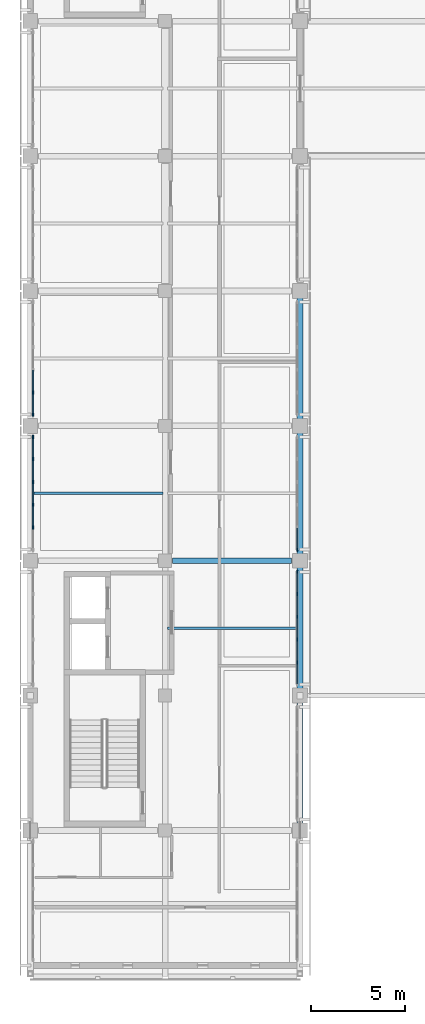
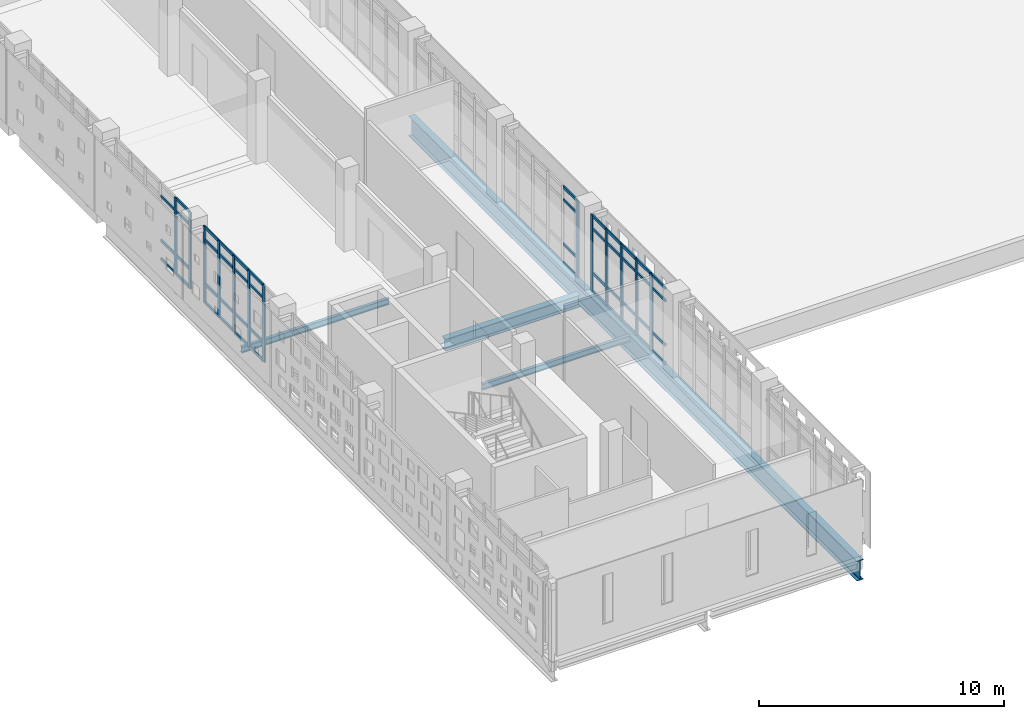
# One storey, part 4 of 51: 60 members, 4 beams, 4 elements without a shape of their own.
"""IFC4 building model written with IfcOpenShell, lengths in metres."""

from ifc_helpers import new_model, si_unit, direction, frame, origin, origin_2d, place, context, subcontext, project, spatial, rectangle, i_section, extrude, material, layer, layer_set, material_profile, profile_set, type_object, element, aggregate, save


model = new_model("IFC4")

# Units and contexts
model_context = context("Model", 3, precision=1e-05, world=origin(), true_north=direction((0.0, 1.0)))
body_context = subcontext(model_context, "Body", "Model", "MODEL_VIEW")
ifc_project = project(units=[si_unit("LENGTHUNIT", "METRE"), si_unit("AREAUNIT", "SQUARE_METRE"), si_unit("VOLUMEUNIT", "CUBIC_METRE"), si_unit("PLANEANGLEUNIT", "RADIAN"), si_unit("MASSUNIT", "GRAM", prefix="KILO")], contexts=[model_context])

# Site, building, storey
site_placement = place(None, origin())
site = spatial("IfcSite", under=ifc_project, at=site_placement, CompositionType="ELEMENT")
building_placement = place(site_placement, origin())
building = spatial("IfcBuilding", under=site, at=building_placement, Name="Valkovuoma Quantum and Materials Research Institute", CompositionType="ELEMENT")
storey_placement = place(building_placement, frame((0.0, 0.0, 17.280029296875)))
storey = spatial("IfcBuildingStorey", under=building, at=storey_placement, Name="L04", CompositionType="ELEMENT", Elevation=17.280029296875)

# Beams
ifc_material_1 = material(Name="Steel S355J2", Category="steel")
ifc_material_profile_1 = material_profile(ifc_material_1, i_section(OverallWidth=0.300048828125, OverallDepth=1.0, WebThickness=0.01904296875, FlangeThickness=0.035888671875, FilletRadius=0.030029296875, at=origin_2d()), Name="Steel S355J2")
ifc_profile_set_1 = profile_set([ifc_material_profile_1], Name="Steel S355J2")
beam_type_1 = type_object("IfcBeamType", Name="Beam-B-HEB1000", PredefinedType="BEAM", material=ifc_profile_set_1)
beam_1_placement = place(storey_placement, frame((14.39990234375, 21.0, -0.85009765625), z_axis=(0.0, 1.0, 0.0), x_axis=(-1.0, 0.0, 0.0)))
element("IfcBeam", 1, at=beam_1_placement, inside=storey, type_object=beam_type_1, Name="L04 cantilever girder X2", PredefinedType="BEAM", context=body_context, shape_type="SweptSolid", body=[
    extrude(i_section(OverallWidth=0.300048828125, OverallDepth=1.0, WebThickness=0.01904296875, FlangeThickness=0.035888671875, FilletRadius=0.030029296875, at=origin_2d()), origin(), (0.0, 0.0, 1.0), 36.60009765625),
])
ifc_material_2 = material(Name="Steel S355J2", Category="steel")
ifc_material_profile_2 = material_profile(ifc_material_2, i_section(OverallWidth=0.300048828125, OverallDepth=0.60009765625, WebThickness=0.015380859375, FlangeThickness=0.030029296875, FilletRadius=0.027099609375, at=origin_2d()), Name="Steel S355J2")
ifc_profile_set_2 = profile_set([ifc_material_profile_2], Name="Steel S355J2")
beam_type_2 = type_object("IfcBeamType", Name="Beam-B-HEB600", PredefinedType="BEAM", material=ifc_profile_set_2)
beam_2_placement = place(storey_placement, frame((7.60009765625, 43.199951171875, -0.650146484375), z_axis=(1.0, 0.0, 0.0), x_axis=(0.0, 1.0, 0.0)))
element("IfcBeam", 2, at=beam_2_placement, inside=storey, type_object=beam_type_2, Name="L04 beam X-1822", PredefinedType="BEAM", context=body_context, shape_type="SweptSolid", body=[
    extrude(i_section(OverallWidth=0.300048828125, OverallDepth=0.60009765625, WebThickness=0.015380859375, FlangeThickness=0.030029296875, FilletRadius=0.027099609375, at=origin_2d()), origin(), (0.0, 0.0, 1.0), 6.349853515625),
])
ifc_material_3 = material(Name="Steel S355J2", Category="steel")
ifc_material_profile_3 = material_profile(ifc_material_3, i_section(OverallWidth=0.14990234375, OverallDepth=0.300048828125, WebThickness=0.007080078125, FlangeThickness=0.0107421875, FilletRadius=0.014892578125, at=origin_2d()), Name="Steel S355J2")
ifc_profile_set_3 = profile_set([ifc_material_profile_3], Name="Steel S355J2")
beam_type_3 = type_object("IfcBeamType", Name="Beam-B-JST300", PredefinedType="JOIST", material=ifc_profile_set_3)
for number, where, z_axis, x_axis, name in (
    (3, (7.320068359375, 39.60009765625, -0.5), (1.0, 0.0, 0.0), (0.0, 1.0, 0.0), "L04 floor joist 2020"),
    (4, (0.1201171875, 46.800048828125, -0.5), (1.0, 0.0, 0.0), (0.0, 1.0, 0.0), "L04 floor joist 2026"),
):
    element("IfcBeam", number, at=place(storey_placement, frame(where, z_axis=z_axis, x_axis=x_axis)), inside=storey, type_object=beam_type_3, Name=name, PredefinedType="JOIST", context=body_context, shape_type="SweptSolid", body=[
        extrude(i_section(OverallWidth=0.14990234375, OverallDepth=0.300048828125, WebThickness=0.007080078125, FlangeThickness=0.0107421875, FilletRadius=0.014892578125, at=origin_2d()), origin(), (0.0, 0.0, 1.0), 6.9599609375),
    ])

# Curtain wall, members
ifc_material_4 = material(Name="Thermally broken aluminium and triple low-E glazing", Category="aluminium")
ifc_layer = layer(ifc_material_4, 0.219970703125)
ifc_layer_set = layer_set([ifc_layer], Name="Thermally broken aluminium and triple low-E glazing")
curtain_wall_type = type_object("IfcCurtainWallType", Name="CW-CW-01", PredefinedType="NOTDEFINED", material=ifc_layer_set)
curtain_wall_1_placement = place(storey_placement, origin())
curtain_wall_1 = element("IfcCurtainWall", 5, at=curtain_wall_1_placement, inside=storey, type_object=curtain_wall_type, Name="L04 curtain wall 042", PredefinedType="NOTDEFINED")
ifc_material_5 = material(Name="Anodised aluminium 6060-T66", Category="aluminium")
ifc_material_profile_4 = material_profile(ifc_material_5, rectangle(XDim=0.06494140625, YDim=0.179931640625, at=origin_2d()), Name="Anodised aluminium 6060-T66")
ifc_profile_set_4 = profile_set([ifc_material_profile_4], Name="Anodised aluminium 6060-T66")
member_type_1 = type_object("IfcMemberType", Name="CWMull-CWM-01", PredefinedType="MULLION", material=ifc_profile_set_4)
member_1_placement = place(storey_placement, frame((14.25, 37.774169921875, 0.0), z_axis=(0.0, 0.0, 1.0), x_axis=(-1.0, 0.0, 0.0)))
member_1 = element("IfcMember", 6, at=member_1_placement, type_object=member_type_1, Name="CW-01 mullion 2", PredefinedType="MULLION", context=body_context, shape_type="SweptSolid", body=[
    extrude(rectangle(XDim=0.06494140625, YDim=0.179931640625, at=origin_2d()), origin(), (0.0, 0.0, 1.0), 3.81005859375),
])
member_2_placement = place(storey_placement, frame((14.25, 38.991455078125, 0.0), z_axis=(0.0, 0.0, 1.0), x_axis=(-1.0, 0.0, 0.0)))
member_2 = element("IfcMember", 7, at=member_2_placement, type_object=member_type_1, Name="CW-01 mullion 3", PredefinedType="MULLION", context=body_context, shape_type="SweptSolid", body=[
    extrude(rectangle(XDim=0.06494140625, YDim=0.179931640625, at=origin_2d()), origin(), (0.0, 0.0, 1.0), 3.81005859375),
])
member_3_placement = place(storey_placement, frame((14.25, 40.20849609375, 0.0), z_axis=(0.0, 0.0, 1.0), x_axis=(-1.0, 0.0, 0.0)))
member_3 = element("IfcMember", 8, at=member_3_placement, type_object=member_type_1, Name="CW-01 mullion 4", PredefinedType="MULLION", context=body_context, shape_type="SweptSolid", body=[
    extrude(rectangle(XDim=0.06494140625, YDim=0.179931640625, at=origin_2d()), origin(), (0.0, 0.0, 1.0), 3.81005859375),
])
member_4_placement = place(storey_placement, frame((14.25, 41.42578125, 0.0), z_axis=(0.0, 0.0, 1.0), x_axis=(-1.0, 0.0, 0.0)))
member_4 = element("IfcMember", 9, at=member_4_placement, type_object=member_type_1, Name="CW-01 mullion 5", PredefinedType="MULLION", context=body_context, shape_type="SweptSolid", body=[
    extrude(rectangle(XDim=0.06494140625, YDim=0.179931640625, at=origin_2d()), origin(), (0.0, 0.0, 1.0), 3.81005859375),
])
member_5_placement = place(storey_placement, frame((14.25, 42.6103515625, 0.0), z_axis=(0.0, 0.0, 1.0), x_axis=(-1.0, 0.0, 0.0)))
member_5 = element("IfcMember", 10, at=member_5_placement, type_object=member_type_1, Name="CW-01 mullion 6", PredefinedType="MULLION", context=body_context, shape_type="SweptSolid", body=[
    extrude(rectangle(XDim=0.06494140625, YDim=0.179931640625, at=origin_2d()), origin(), (0.0, 0.0, 1.0), 3.81005859375),
])

curtain_wall_2_placement = place(storey_placement, origin())
curtain_wall_2 = element("IfcCurtainWall", 11, at=curtain_wall_2_placement, inside=storey, type_object=curtain_wall_type, Name="L04 curtain wall 043", PredefinedType="NOTDEFINED")
member_6_placement = place(storey_placement, frame((0.14990234375, 44.974365234375, 0.0), z_axis=(0.0, 0.0, 1.0), x_axis=(-1.0, 0.0, 0.0)))
member_6 = element("IfcMember", 12, at=member_6_placement, type_object=member_type_1, Name="CW-01 mullion 2", PredefinedType="MULLION", context=body_context, shape_type="SweptSolid", body=[
    extrude(rectangle(XDim=0.06494140625, YDim=0.179931640625, at=origin_2d()), origin(), (0.0, 0.0, 1.0), 3.81005859375),
])
member_7_placement = place(storey_placement, frame((0.14990234375, 46.19140625, 0.0), z_axis=(0.0, 0.0, 1.0), x_axis=(-1.0, 0.0, 0.0)))
member_7 = element("IfcMember", 13, at=member_7_placement, type_object=member_type_1, Name="CW-01 mullion 3", PredefinedType="MULLION", context=body_context, shape_type="SweptSolid", body=[
    extrude(rectangle(XDim=0.06494140625, YDim=0.179931640625, at=origin_2d()), origin(), (0.0, 0.0, 1.0), 3.81005859375),
])
member_8_placement = place(storey_placement, frame((0.14990234375, 47.40869140625, 0.0), z_axis=(0.0, 0.0, 1.0), x_axis=(-1.0, 0.0, 0.0)))
member_8 = element("IfcMember", 14, at=member_8_placement, type_object=member_type_1, Name="CW-01 mullion 4", PredefinedType="MULLION", context=body_context, shape_type="SweptSolid", body=[
    extrude(rectangle(XDim=0.06494140625, YDim=0.179931640625, at=origin_2d()), origin(), (0.0, 0.0, 1.0), 3.81005859375),
])
member_9_placement = place(storey_placement, frame((0.14990234375, 48.625732421875, 0.0), z_axis=(0.0, 0.0, 1.0), x_axis=(-1.0, 0.0, 0.0)))
member_9 = element("IfcMember", 15, at=member_9_placement, type_object=member_type_1, Name="CW-01 mullion 5", PredefinedType="MULLION", context=body_context, shape_type="SweptSolid", body=[
    extrude(rectangle(XDim=0.06494140625, YDim=0.179931640625, at=origin_2d()), origin(), (0.0, 0.0, 1.0), 3.81005859375),
])
member_10_placement = place(storey_placement, frame((0.14990234375, 49.810302734375, 0.0), z_axis=(0.0, 0.0, 1.0), x_axis=(-1.0, 0.0, 0.0)))
member_10 = element("IfcMember", 16, at=member_10_placement, type_object=member_type_1, Name="CW-01 mullion 6", PredefinedType="MULLION", context=body_context, shape_type="SweptSolid", body=[
    extrude(rectangle(XDim=0.06494140625, YDim=0.179931640625, at=origin_2d()), origin(), (0.0, 0.0, 1.0), 3.81005859375),
])

# Curtain wall, member
curtain_wall_3_placement = place(storey_placement, origin())
curtain_wall_3 = element("IfcCurtainWall", 17, at=curtain_wall_3_placement, inside=storey, type_object=curtain_wall_type, Name="L04 curtain wall 044", PredefinedType="NOTDEFINED")
member_11_placement = place(storey_placement, frame((14.25, 43.78955078125, 0.0), z_axis=(0.0, 0.0, 1.0), x_axis=(-1.0, 0.0, 0.0)))
member_11 = element("IfcMember", 18, at=member_11_placement, type_object=member_type_1, Name="CW-01 mullion 1", PredefinedType="MULLION", context=body_context, shape_type="SweptSolid", body=[
    extrude(rectangle(XDim=0.06494140625, YDim=0.179931640625, at=origin_2d()), origin(), (0.0, 0.0, 1.0), 3.81005859375),
])

# Curtain wall, members
curtain_wall_4_placement = place(storey_placement, origin())
curtain_wall_4 = element("IfcCurtainWall", 19, at=curtain_wall_4_placement, inside=storey, type_object=curtain_wall_type, Name="L04 curtain wall 045", PredefinedType="NOTDEFINED")
member_12_placement = place(storey_placement, frame((0.14990234375, 50.989501953125, 0.0), z_axis=(0.0, 0.0, 1.0), x_axis=(-1.0, 0.0, 0.0)))
member_12 = element("IfcMember", 20, at=member_12_placement, type_object=member_type_1, Name="CW-01 mullion 1", PredefinedType="MULLION", context=body_context, shape_type="SweptSolid", body=[
    extrude(rectangle(XDim=0.06494140625, YDim=0.179931640625, at=origin_2d()), origin(), (0.0, 0.0, 1.0), 3.81005859375),
])
member_13_placement = place(storey_placement, frame((0.14990234375, 52.17431640625, 0.0), z_axis=(0.0, 0.0, 1.0), x_axis=(-1.0, 0.0, 0.0)))
member_13 = element("IfcMember", 21, at=member_13_placement, type_object=member_type_1, Name="CW-01 mullion 2", PredefinedType="MULLION", context=body_context, shape_type="SweptSolid", body=[
    extrude(rectangle(XDim=0.06494140625, YDim=0.179931640625, at=origin_2d()), origin(), (0.0, 0.0, 1.0), 3.81005859375),
])

# Member
ifc_material_6 = material(Name="Anodised aluminium 6060-T66", Category="aluminium")
ifc_material_profile_5 = material_profile(ifc_material_6, rectangle(XDim=0.06494140625, YDim=0.139892578125, at=origin_2d()), Name="Anodised aluminium 6060-T66")
ifc_profile_set_5 = profile_set([ifc_material_profile_5], Name="Anodised aluminium 6060-T66")
member_type_2 = type_object("IfcMemberType", Name="CWTran-CWT-01", PredefinedType="USERDEFINED", material=ifc_profile_set_5)
member_14_placement = place(storey_placement, frame((14.25, 36.6220703125, 0.032470703125), z_axis=(0.0, 1.0, 0.0), x_axis=(-1.0, 0.0, 0.0)))
member_14 = element("IfcMember", 22, at=member_14_placement, type_object=member_type_2, Name="CW-01 transom 1.1", ObjectType="TRANSOM", PredefinedType="USERDEFINED", context=body_context, shape_type="SweptSolid", body=[
    extrude(rectangle(XDim=0.06494140625, YDim=0.139892578125, at=origin_2d()), origin(), (0.0, 0.0, 1.0), 1.11962890625),
])

member_15_placement = place(storey_placement, frame((14.25, 36.6220703125, 0.949951171875), z_axis=(0.0, 1.0, 0.0), x_axis=(-1.0, 0.0, 0.0)))
member_15 = element("IfcMember", 23, at=member_15_placement, type_object=member_type_2, Name="CW-01 transom 1.2", ObjectType="TRANSOM", PredefinedType="USERDEFINED", context=body_context, shape_type="SweptSolid", body=[
    extrude(rectangle(XDim=0.06494140625, YDim=0.139892578125, at=origin_2d()), origin(), (0.0, 0.0, 1.0), 1.11962890625),
])

member_16_placement = place(storey_placement, frame((14.25, 36.6220703125, 3.159912109375), z_axis=(0.0, 1.0, 0.0), x_axis=(-1.0, 0.0, 0.0)))
member_16 = element("IfcMember", 24, at=member_16_placement, type_object=member_type_2, Name="CW-01 transom 1.3", ObjectType="TRANSOM", PredefinedType="USERDEFINED", context=body_context, shape_type="SweptSolid", body=[
    extrude(rectangle(XDim=0.06494140625, YDim=0.139892578125, at=origin_2d()), origin(), (0.0, 0.0, 1.0), 1.11962890625),
])

member_17_placement = place(storey_placement, frame((14.25, 36.6220703125, 3.777587890625), z_axis=(0.0, 1.0, 0.0), x_axis=(-1.0, 0.0, 0.0)))
member_17 = element("IfcMember", 25, at=member_17_placement, type_object=member_type_2, Name="CW-01 transom 1.4", ObjectType="TRANSOM", PredefinedType="USERDEFINED", context=body_context, shape_type="SweptSolid", body=[
    extrude(rectangle(XDim=0.06494140625, YDim=0.139892578125, at=origin_2d()), origin(), (0.0, 0.0, 1.0), 1.11962890625),
])

member_18_placement = place(storey_placement, frame((14.25, 37.806640625, 0.032470703125), z_axis=(0.0, 1.0, 0.0), x_axis=(-1.0, 0.0, 0.0)))
member_18 = element("IfcMember", 26, at=member_18_placement, type_object=member_type_2, Name="CW-01 transom 2.1", ObjectType="TRANSOM", PredefinedType="USERDEFINED", context=body_context, shape_type="SweptSolid", body=[
    extrude(rectangle(XDim=0.06494140625, YDim=0.139892578125, at=origin_2d()), origin(), (0.0, 0.0, 1.0), 1.15234375),
])

member_19_placement = place(storey_placement, frame((14.25, 37.806640625, 0.949951171875), z_axis=(0.0, 1.0, 0.0), x_axis=(-1.0, 0.0, 0.0)))
member_19 = element("IfcMember", 27, at=member_19_placement, type_object=member_type_2, Name="CW-01 transom 2.2", ObjectType="TRANSOM", PredefinedType="USERDEFINED", context=body_context, shape_type="SweptSolid", body=[
    extrude(rectangle(XDim=0.06494140625, YDim=0.139892578125, at=origin_2d()), origin(), (0.0, 0.0, 1.0), 1.15234375),
])

member_20_placement = place(storey_placement, frame((14.25, 37.806640625, 3.159912109375), z_axis=(0.0, 1.0, 0.0), x_axis=(-1.0, 0.0, 0.0)))
member_20 = element("IfcMember", 28, at=member_20_placement, type_object=member_type_2, Name="CW-01 transom 2.3", ObjectType="TRANSOM", PredefinedType="USERDEFINED", context=body_context, shape_type="SweptSolid", body=[
    extrude(rectangle(XDim=0.06494140625, YDim=0.139892578125, at=origin_2d()), origin(), (0.0, 0.0, 1.0), 1.15234375),
])

member_21_placement = place(storey_placement, frame((14.25, 37.806640625, 3.777587890625), z_axis=(0.0, 1.0, 0.0), x_axis=(-1.0, 0.0, 0.0)))
member_21 = element("IfcMember", 29, at=member_21_placement, type_object=member_type_2, Name="CW-01 transom 2.4", ObjectType="TRANSOM", PredefinedType="USERDEFINED", context=body_context, shape_type="SweptSolid", body=[
    extrude(rectangle(XDim=0.06494140625, YDim=0.139892578125, at=origin_2d()), origin(), (0.0, 0.0, 1.0), 1.15234375),
])

member_22_placement = place(storey_placement, frame((14.25, 39.02392578125, 0.032470703125), z_axis=(0.0, 1.0, 0.0), x_axis=(-1.0, 0.0, 0.0)))
member_22 = element("IfcMember", 30, at=member_22_placement, type_object=member_type_2, Name="CW-01 transom 3.1", ObjectType="TRANSOM", PredefinedType="USERDEFINED", context=body_context, shape_type="SweptSolid", body=[
    extrude(rectangle(XDim=0.06494140625, YDim=0.139892578125, at=origin_2d()), origin(), (0.0, 0.0, 1.0), 1.152099609375),
])

member_23_placement = place(storey_placement, frame((14.25, 39.02392578125, 0.949951171875), z_axis=(0.0, 1.0, 0.0), x_axis=(-1.0, 0.0, 0.0)))
member_23 = element("IfcMember", 31, at=member_23_placement, type_object=member_type_2, Name="CW-01 transom 3.2", ObjectType="TRANSOM", PredefinedType="USERDEFINED", context=body_context, shape_type="SweptSolid", body=[
    extrude(rectangle(XDim=0.06494140625, YDim=0.139892578125, at=origin_2d()), origin(), (0.0, 0.0, 1.0), 1.152099609375),
])

member_24_placement = place(storey_placement, frame((14.25, 39.02392578125, 3.159912109375), z_axis=(0.0, 1.0, 0.0), x_axis=(-1.0, 0.0, 0.0)))
member_24 = element("IfcMember", 32, at=member_24_placement, type_object=member_type_2, Name="CW-01 transom 3.3", ObjectType="TRANSOM", PredefinedType="USERDEFINED", context=body_context, shape_type="SweptSolid", body=[
    extrude(rectangle(XDim=0.06494140625, YDim=0.139892578125, at=origin_2d()), origin(), (0.0, 0.0, 1.0), 1.152099609375),
])

member_25_placement = place(storey_placement, frame((14.25, 39.02392578125, 3.777587890625), z_axis=(0.0, 1.0, 0.0), x_axis=(-1.0, 0.0, 0.0)))
member_25 = element("IfcMember", 33, at=member_25_placement, type_object=member_type_2, Name="CW-01 transom 3.4", ObjectType="TRANSOM", PredefinedType="USERDEFINED", context=body_context, shape_type="SweptSolid", body=[
    extrude(rectangle(XDim=0.06494140625, YDim=0.139892578125, at=origin_2d()), origin(), (0.0, 0.0, 1.0), 1.152099609375),
])

member_26_placement = place(storey_placement, frame((14.25, 40.240966796875, 0.032470703125), z_axis=(0.0, 1.0, 0.0), x_axis=(-1.0, 0.0, 0.0)))
member_26 = element("IfcMember", 34, at=member_26_placement, type_object=member_type_2, Name="CW-01 transom 4.1", ObjectType="TRANSOM", PredefinedType="USERDEFINED", context=body_context, shape_type="SweptSolid", body=[
    extrude(rectangle(XDim=0.06494140625, YDim=0.139892578125, at=origin_2d()), origin(), (0.0, 0.0, 1.0), 1.15234375),
])

member_27_placement = place(storey_placement, frame((14.25, 40.240966796875, 0.949951171875), z_axis=(0.0, 1.0, 0.0), x_axis=(-1.0, 0.0, 0.0)))
member_27 = element("IfcMember", 35, at=member_27_placement, type_object=member_type_2, Name="CW-01 transom 4.2", ObjectType="TRANSOM", PredefinedType="USERDEFINED", context=body_context, shape_type="SweptSolid", body=[
    extrude(rectangle(XDim=0.06494140625, YDim=0.139892578125, at=origin_2d()), origin(), (0.0, 0.0, 1.0), 1.15234375),
])

member_28_placement = place(storey_placement, frame((14.25, 40.240966796875, 3.159912109375), z_axis=(0.0, 1.0, 0.0), x_axis=(-1.0, 0.0, 0.0)))
member_28 = element("IfcMember", 36, at=member_28_placement, type_object=member_type_2, Name="CW-01 transom 4.3", ObjectType="TRANSOM", PredefinedType="USERDEFINED", context=body_context, shape_type="SweptSolid", body=[
    extrude(rectangle(XDim=0.06494140625, YDim=0.139892578125, at=origin_2d()), origin(), (0.0, 0.0, 1.0), 1.15234375),
])

member_29_placement = place(storey_placement, frame((14.25, 40.240966796875, 3.777587890625), z_axis=(0.0, 1.0, 0.0), x_axis=(-1.0, 0.0, 0.0)))
member_29 = element("IfcMember", 37, at=member_29_placement, type_object=member_type_2, Name="CW-01 transom 4.4", ObjectType="TRANSOM", PredefinedType="USERDEFINED", context=body_context, shape_type="SweptSolid", body=[
    extrude(rectangle(XDim=0.06494140625, YDim=0.139892578125, at=origin_2d()), origin(), (0.0, 0.0, 1.0), 1.15234375),
])

member_30_placement = place(storey_placement, frame((14.25, 41.458251953125, 0.032470703125), z_axis=(0.0, 1.0, 0.0), x_axis=(-1.0, 0.0, 0.0)))
member_30 = element("IfcMember", 38, at=member_30_placement, type_object=member_type_2, Name="CW-01 transom 5.1", ObjectType="TRANSOM", PredefinedType="USERDEFINED", context=body_context, shape_type="SweptSolid", body=[
    extrude(rectangle(XDim=0.06494140625, YDim=0.139892578125, at=origin_2d()), origin(), (0.0, 0.0, 1.0), 1.11962890625),
])

member_31_placement = place(storey_placement, frame((14.25, 41.458251953125, 0.949951171875), z_axis=(0.0, 1.0, 0.0), x_axis=(-1.0, 0.0, 0.0)))
member_31 = element("IfcMember", 39, at=member_31_placement, type_object=member_type_2, Name="CW-01 transom 5.2", ObjectType="TRANSOM", PredefinedType="USERDEFINED", context=body_context, shape_type="SweptSolid", body=[
    extrude(rectangle(XDim=0.06494140625, YDim=0.139892578125, at=origin_2d()), origin(), (0.0, 0.0, 1.0), 1.11962890625),
])

member_32_placement = place(storey_placement, frame((14.25, 41.458251953125, 3.159912109375), z_axis=(0.0, 1.0, 0.0), x_axis=(-1.0, 0.0, 0.0)))
member_32 = element("IfcMember", 40, at=member_32_placement, type_object=member_type_2, Name="CW-01 transom 5.3", ObjectType="TRANSOM", PredefinedType="USERDEFINED", context=body_context, shape_type="SweptSolid", body=[
    extrude(rectangle(XDim=0.06494140625, YDim=0.139892578125, at=origin_2d()), origin(), (0.0, 0.0, 1.0), 1.11962890625),
])

member_33_placement = place(storey_placement, frame((14.25, 41.458251953125, 3.777587890625), z_axis=(0.0, 1.0, 0.0), x_axis=(-1.0, 0.0, 0.0)))
member_33 = element("IfcMember", 41, at=member_33_placement, type_object=member_type_2, Name="CW-01 transom 5.4", ObjectType="TRANSOM", PredefinedType="USERDEFINED", context=body_context, shape_type="SweptSolid", body=[
    extrude(rectangle(XDim=0.06494140625, YDim=0.139892578125, at=origin_2d()), origin(), (0.0, 0.0, 1.0), 1.11962890625),
])

aggregate(curtain_wall_1, [member_1, member_2, member_3, member_4, member_5, member_14, member_15, member_16, member_17, member_18, member_19, member_20, member_21, member_22, member_23, member_24, member_25, member_26, member_27, member_28, member_29, member_30, member_31, member_32, member_33])

member_34_placement = place(storey_placement, frame((0.14990234375, 45.0068359375, 0.032470703125), z_axis=(0.0, 1.0, 0.0), x_axis=(-1.0, 0.0, 0.0)))
member_34 = element("IfcMember", 42, at=member_34_placement, type_object=member_type_2, Name="CW-01 transom 2.1", ObjectType="TRANSOM", PredefinedType="USERDEFINED", context=body_context, shape_type="SweptSolid", body=[
    extrude(rectangle(XDim=0.06494140625, YDim=0.139892578125, at=origin_2d()), origin(), (0.0, 0.0, 1.0), 1.152099609375),
])

member_35_placement = place(storey_placement, frame((0.14990234375, 45.0068359375, 0.949951171875), z_axis=(0.0, 1.0, 0.0), x_axis=(-1.0, 0.0, 0.0)))
member_35 = element("IfcMember", 43, at=member_35_placement, type_object=member_type_2, Name="CW-01 transom 2.2", ObjectType="TRANSOM", PredefinedType="USERDEFINED", context=body_context, shape_type="SweptSolid", body=[
    extrude(rectangle(XDim=0.06494140625, YDim=0.139892578125, at=origin_2d()), origin(), (0.0, 0.0, 1.0), 1.152099609375),
])

member_36_placement = place(storey_placement, frame((0.14990234375, 45.0068359375, 3.159912109375), z_axis=(0.0, 1.0, 0.0), x_axis=(-1.0, 0.0, 0.0)))
member_36 = element("IfcMember", 44, at=member_36_placement, type_object=member_type_2, Name="CW-01 transom 2.3", ObjectType="TRANSOM", PredefinedType="USERDEFINED", context=body_context, shape_type="SweptSolid", body=[
    extrude(rectangle(XDim=0.06494140625, YDim=0.139892578125, at=origin_2d()), origin(), (0.0, 0.0, 1.0), 1.152099609375),
])

member_37_placement = place(storey_placement, frame((0.14990234375, 45.0068359375, 3.777587890625), z_axis=(0.0, 1.0, 0.0), x_axis=(-1.0, 0.0, 0.0)))
member_37 = element("IfcMember", 45, at=member_37_placement, type_object=member_type_2, Name="CW-01 transom 2.4", ObjectType="TRANSOM", PredefinedType="USERDEFINED", context=body_context, shape_type="SweptSolid", body=[
    extrude(rectangle(XDim=0.06494140625, YDim=0.139892578125, at=origin_2d()), origin(), (0.0, 0.0, 1.0), 1.152099609375),
])

member_38_placement = place(storey_placement, frame((0.14990234375, 46.223876953125, 0.032470703125), z_axis=(0.0, 1.0, 0.0), x_axis=(-1.0, 0.0, 0.0)))
member_38 = element("IfcMember", 46, at=member_38_placement, type_object=member_type_2, Name="CW-01 transom 3.1", ObjectType="TRANSOM", PredefinedType="USERDEFINED", context=body_context, shape_type="SweptSolid", body=[
    extrude(rectangle(XDim=0.06494140625, YDim=0.139892578125, at=origin_2d()), origin(), (0.0, 0.0, 1.0), 1.152099609375),
])

member_39_placement = place(storey_placement, frame((0.14990234375, 46.223876953125, 0.949951171875), z_axis=(0.0, 1.0, 0.0), x_axis=(-1.0, 0.0, 0.0)))
member_39 = element("IfcMember", 47, at=member_39_placement, type_object=member_type_2, Name="CW-01 transom 3.2", ObjectType="TRANSOM", PredefinedType="USERDEFINED", context=body_context, shape_type="SweptSolid", body=[
    extrude(rectangle(XDim=0.06494140625, YDim=0.139892578125, at=origin_2d()), origin(), (0.0, 0.0, 1.0), 1.152099609375),
])

member_40_placement = place(storey_placement, frame((0.14990234375, 46.223876953125, 3.159912109375), z_axis=(0.0, 1.0, 0.0), x_axis=(-1.0, 0.0, 0.0)))
member_40 = element("IfcMember", 48, at=member_40_placement, type_object=member_type_2, Name="CW-01 transom 3.3", ObjectType="TRANSOM", PredefinedType="USERDEFINED", context=body_context, shape_type="SweptSolid", body=[
    extrude(rectangle(XDim=0.06494140625, YDim=0.139892578125, at=origin_2d()), origin(), (0.0, 0.0, 1.0), 1.152099609375),
])

member_41_placement = place(storey_placement, frame((0.14990234375, 46.223876953125, 3.777587890625), z_axis=(0.0, 1.0, 0.0), x_axis=(-1.0, 0.0, 0.0)))
member_41 = element("IfcMember", 49, at=member_41_placement, type_object=member_type_2, Name="CW-01 transom 3.4", ObjectType="TRANSOM", PredefinedType="USERDEFINED", context=body_context, shape_type="SweptSolid", body=[
    extrude(rectangle(XDim=0.06494140625, YDim=0.139892578125, at=origin_2d()), origin(), (0.0, 0.0, 1.0), 1.152099609375),
])

member_42_placement = place(storey_placement, frame((0.14990234375, 47.441162109375, 0.032470703125), z_axis=(0.0, 1.0, 0.0), x_axis=(-1.0, 0.0, 0.0)))
member_42 = element("IfcMember", 50, at=member_42_placement, type_object=member_type_2, Name="CW-01 transom 4.1", ObjectType="TRANSOM", PredefinedType="USERDEFINED", context=body_context, shape_type="SweptSolid", body=[
    extrude(rectangle(XDim=0.06494140625, YDim=0.139892578125, at=origin_2d()), origin(), (0.0, 0.0, 1.0), 1.152099609375),
])

member_43_placement = place(storey_placement, frame((0.14990234375, 47.441162109375, 0.949951171875), z_axis=(0.0, 1.0, 0.0), x_axis=(-1.0, 0.0, 0.0)))
member_43 = element("IfcMember", 51, at=member_43_placement, type_object=member_type_2, Name="CW-01 transom 4.2", ObjectType="TRANSOM", PredefinedType="USERDEFINED", context=body_context, shape_type="SweptSolid", body=[
    extrude(rectangle(XDim=0.06494140625, YDim=0.139892578125, at=origin_2d()), origin(), (0.0, 0.0, 1.0), 1.152099609375),
])

member_44_placement = place(storey_placement, frame((0.14990234375, 47.441162109375, 3.159912109375), z_axis=(0.0, 1.0, 0.0), x_axis=(-1.0, 0.0, 0.0)))
member_44 = element("IfcMember", 52, at=member_44_placement, type_object=member_type_2, Name="CW-01 transom 4.3", ObjectType="TRANSOM", PredefinedType="USERDEFINED", context=body_context, shape_type="SweptSolid", body=[
    extrude(rectangle(XDim=0.06494140625, YDim=0.139892578125, at=origin_2d()), origin(), (0.0, 0.0, 1.0), 1.152099609375),
])

member_45_placement = place(storey_placement, frame((0.14990234375, 47.441162109375, 3.777587890625), z_axis=(0.0, 1.0, 0.0), x_axis=(-1.0, 0.0, 0.0)))
member_45 = element("IfcMember", 53, at=member_45_placement, type_object=member_type_2, Name="CW-01 transom 4.4", ObjectType="TRANSOM", PredefinedType="USERDEFINED", context=body_context, shape_type="SweptSolid", body=[
    extrude(rectangle(XDim=0.06494140625, YDim=0.139892578125, at=origin_2d()), origin(), (0.0, 0.0, 1.0), 1.152099609375),
])

member_46_placement = place(storey_placement, frame((0.14990234375, 48.658203125, 0.032470703125), z_axis=(0.0, 1.0, 0.0), x_axis=(-1.0, 0.0, 0.0)))
member_46 = element("IfcMember", 54, at=member_46_placement, type_object=member_type_2, Name="CW-01 transom 5.1", ObjectType="TRANSOM", PredefinedType="USERDEFINED", context=body_context, shape_type="SweptSolid", body=[
    extrude(rectangle(XDim=0.06494140625, YDim=0.139892578125, at=origin_2d()), origin(), (0.0, 0.0, 1.0), 1.11962890625),
])

member_47_placement = place(storey_placement, frame((0.14990234375, 48.658203125, 0.949951171875), z_axis=(0.0, 1.0, 0.0), x_axis=(-1.0, 0.0, 0.0)))
member_47 = element("IfcMember", 55, at=member_47_placement, type_object=member_type_2, Name="CW-01 transom 5.2", ObjectType="TRANSOM", PredefinedType="USERDEFINED", context=body_context, shape_type="SweptSolid", body=[
    extrude(rectangle(XDim=0.06494140625, YDim=0.139892578125, at=origin_2d()), origin(), (0.0, 0.0, 1.0), 1.11962890625),
])

member_48_placement = place(storey_placement, frame((0.14990234375, 48.658203125, 3.159912109375), z_axis=(0.0, 1.0, 0.0), x_axis=(-1.0, 0.0, 0.0)))
member_48 = element("IfcMember", 56, at=member_48_placement, type_object=member_type_2, Name="CW-01 transom 5.3", ObjectType="TRANSOM", PredefinedType="USERDEFINED", context=body_context, shape_type="SweptSolid", body=[
    extrude(rectangle(XDim=0.06494140625, YDim=0.139892578125, at=origin_2d()), origin(), (0.0, 0.0, 1.0), 1.11962890625),
])

member_49_placement = place(storey_placement, frame((0.14990234375, 48.658203125, 3.777587890625), z_axis=(0.0, 1.0, 0.0), x_axis=(-1.0, 0.0, 0.0)))
member_49 = element("IfcMember", 57, at=member_49_placement, type_object=member_type_2, Name="CW-01 transom 5.4", ObjectType="TRANSOM", PredefinedType="USERDEFINED", context=body_context, shape_type="SweptSolid", body=[
    extrude(rectangle(XDim=0.06494140625, YDim=0.139892578125, at=origin_2d()), origin(), (0.0, 0.0, 1.0), 1.11962890625),
])

aggregate(curtain_wall_2, [member_6, member_7, member_8, member_9, member_10, member_34, member_35, member_36, member_37, member_38, member_39, member_40, member_41, member_42, member_43, member_44, member_45, member_46, member_47, member_48, member_49])

member_50_placement = place(storey_placement, frame((14.25, 43.822021484375, 0.032470703125), z_axis=(0.0, 1.0, 0.0), x_axis=(-1.0, 0.0, 0.0)))
member_50 = element("IfcMember", 58, at=member_50_placement, type_object=member_type_2, Name="CW-01 transom 1.1", ObjectType="TRANSOM", PredefinedType="USERDEFINED", context=body_context, shape_type="SweptSolid", body=[
    extrude(rectangle(XDim=0.06494140625, YDim=0.139892578125, at=origin_2d()), origin(), (0.0, 0.0, 1.0), 1.11962890625),
])

member_51_placement = place(storey_placement, frame((14.25, 43.822021484375, 0.949951171875), z_axis=(0.0, 1.0, 0.0), x_axis=(-1.0, 0.0, 0.0)))
member_51 = element("IfcMember", 59, at=member_51_placement, type_object=member_type_2, Name="CW-01 transom 1.2", ObjectType="TRANSOM", PredefinedType="USERDEFINED", context=body_context, shape_type="SweptSolid", body=[
    extrude(rectangle(XDim=0.06494140625, YDim=0.139892578125, at=origin_2d()), origin(), (0.0, 0.0, 1.0), 1.11962890625),
])

member_52_placement = place(storey_placement, frame((14.25, 43.822021484375, 3.159912109375), z_axis=(0.0, 1.0, 0.0), x_axis=(-1.0, 0.0, 0.0)))
member_52 = element("IfcMember", 60, at=member_52_placement, type_object=member_type_2, Name="CW-01 transom 1.3", ObjectType="TRANSOM", PredefinedType="USERDEFINED", context=body_context, shape_type="SweptSolid", body=[
    extrude(rectangle(XDim=0.06494140625, YDim=0.139892578125, at=origin_2d()), origin(), (0.0, 0.0, 1.0), 1.11962890625),
])

member_53_placement = place(storey_placement, frame((14.25, 43.822021484375, 3.777587890625), z_axis=(0.0, 1.0, 0.0), x_axis=(-1.0, 0.0, 0.0)))
member_53 = element("IfcMember", 61, at=member_53_placement, type_object=member_type_2, Name="CW-01 transom 1.4", ObjectType="TRANSOM", PredefinedType="USERDEFINED", context=body_context, shape_type="SweptSolid", body=[
    extrude(rectangle(XDim=0.06494140625, YDim=0.139892578125, at=origin_2d()), origin(), (0.0, 0.0, 1.0), 1.11962890625),
])

aggregate(curtain_wall_3, [member_11, member_50, member_51, member_52, member_53])

member_54_placement = place(storey_placement, frame((0.14990234375, 51.022216796875, 0.032470703125), z_axis=(0.0, 1.0, 0.0), x_axis=(-1.0, 0.0, 0.0)))
member_54 = element("IfcMember", 62, at=member_54_placement, type_object=member_type_2, Name="CW-01 transom 1.1", ObjectType="TRANSOM", PredefinedType="USERDEFINED", context=body_context, shape_type="SweptSolid", body=[
    extrude(rectangle(XDim=0.06494140625, YDim=0.139892578125, at=origin_2d()), origin(), (0.0, 0.0, 1.0), 1.11962890625),
])

member_55_placement = place(storey_placement, frame((0.14990234375, 51.022216796875, 0.949951171875), z_axis=(0.0, 1.0, 0.0), x_axis=(-1.0, 0.0, 0.0)))
member_55 = element("IfcMember", 63, at=member_55_placement, type_object=member_type_2, Name="CW-01 transom 1.2", ObjectType="TRANSOM", PredefinedType="USERDEFINED", context=body_context, shape_type="SweptSolid", body=[
    extrude(rectangle(XDim=0.06494140625, YDim=0.139892578125, at=origin_2d()), origin(), (0.0, 0.0, 1.0), 1.11962890625),
])

member_56_placement = place(storey_placement, frame((0.14990234375, 51.022216796875, 3.159912109375), z_axis=(0.0, 1.0, 0.0), x_axis=(-1.0, 0.0, 0.0)))
member_56 = element("IfcMember", 64, at=member_56_placement, type_object=member_type_2, Name="CW-01 transom 1.3", ObjectType="TRANSOM", PredefinedType="USERDEFINED", context=body_context, shape_type="SweptSolid", body=[
    extrude(rectangle(XDim=0.06494140625, YDim=0.139892578125, at=origin_2d()), origin(), (0.0, 0.0, 1.0), 1.11962890625),
])

member_57_placement = place(storey_placement, frame((0.14990234375, 51.022216796875, 3.777587890625), z_axis=(0.0, 1.0, 0.0), x_axis=(-1.0, 0.0, 0.0)))
member_57 = element("IfcMember", 65, at=member_57_placement, type_object=member_type_2, Name="CW-01 transom 1.4", ObjectType="TRANSOM", PredefinedType="USERDEFINED", context=body_context, shape_type="SweptSolid", body=[
    extrude(rectangle(XDim=0.06494140625, YDim=0.139892578125, at=origin_2d()), origin(), (0.0, 0.0, 1.0), 1.11962890625),
])

member_58_placement = place(storey_placement, frame((0.14990234375, 52.206787109375, 0.032470703125), z_axis=(0.0, 1.0, 0.0), x_axis=(-1.0, 0.0, 0.0)))
member_58 = element("IfcMember", 66, at=member_58_placement, type_object=member_type_2, Name="CW-01 transom 2.1", ObjectType="TRANSOM", PredefinedType="USERDEFINED", context=body_context, shape_type="SweptSolid", body=[
    extrude(rectangle(XDim=0.06494140625, YDim=0.139892578125, at=origin_2d()), origin(), (0.0, 0.0, 1.0), 1.152099609375),
])

member_59_placement = place(storey_placement, frame((0.14990234375, 52.206787109375, 0.949951171875), z_axis=(0.0, 1.0, 0.0), x_axis=(-1.0, 0.0, 0.0)))
member_59 = element("IfcMember", 67, at=member_59_placement, type_object=member_type_2, Name="CW-01 transom 2.2", ObjectType="TRANSOM", PredefinedType="USERDEFINED", context=body_context, shape_type="SweptSolid", body=[
    extrude(rectangle(XDim=0.06494140625, YDim=0.139892578125, at=origin_2d()), origin(), (0.0, 0.0, 1.0), 1.152099609375),
])

member_60_placement = place(storey_placement, frame((0.14990234375, 52.206787109375, 3.159912109375), z_axis=(0.0, 1.0, 0.0), x_axis=(-1.0, 0.0, 0.0)))
member_60 = element("IfcMember", 68, at=member_60_placement, type_object=member_type_2, Name="CW-01 transom 2.3", ObjectType="TRANSOM", PredefinedType="USERDEFINED", context=body_context, shape_type="SweptSolid", body=[
    extrude(rectangle(XDim=0.06494140625, YDim=0.139892578125, at=origin_2d()), origin(), (0.0, 0.0, 1.0), 1.152099609375),
])

aggregate(curtain_wall_4, [member_12, member_13, member_54, member_55, member_56, member_57, member_58, member_59, member_60])

save(model, "model.ifc")
